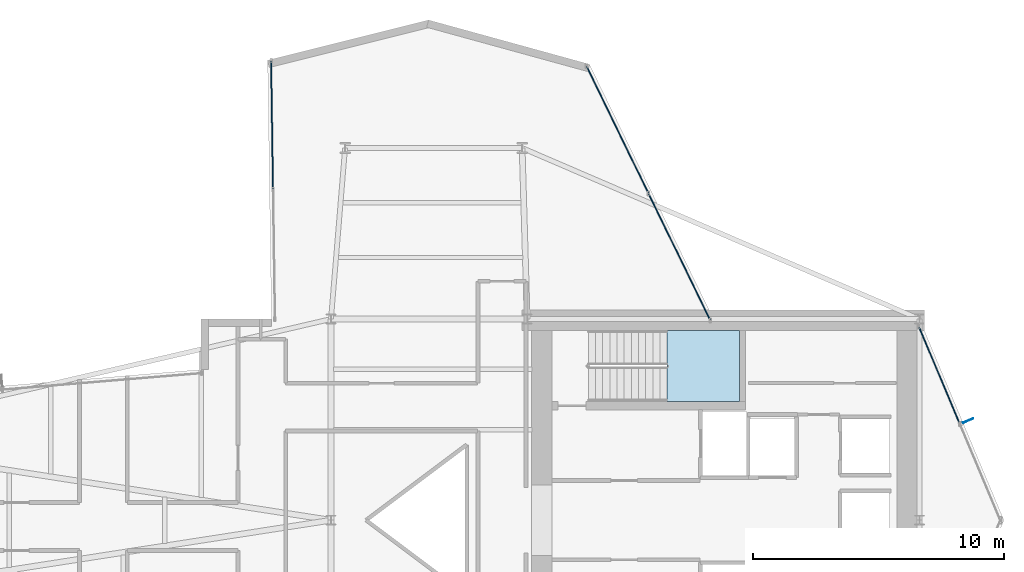
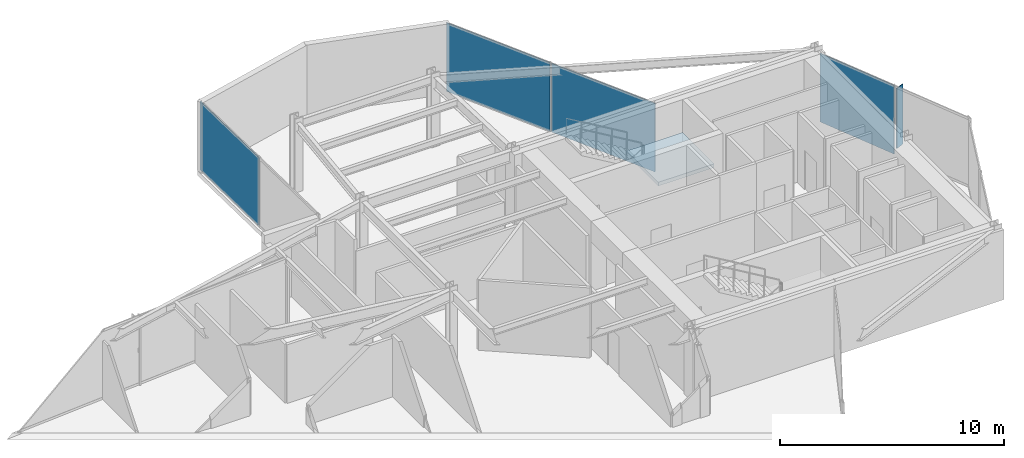
# One storey, part 21 of 25: 5 plates, 1 slab, 4 elements without a shape of their own.
"""IFC4 building model written with IfcOpenShell, lengths in metres."""

import ifcopenshell
import ifcopenshell.guid

model = None  # the IFC model being written
_history = None  # IfcOwnerHistory: only IFC2X3 demands one
_inside = {}  # id of a spatial element -> (the spatial element, [elements in it])
_under = {}  # id of a project, library or spatial element -> (it, [spatial elements below it])
_declared = {}  # id of a project -> (the project, [libraries it declares])
_typed = {}  # id of a type object -> (the type object, [elements of that type])
_made_of = {}  # id of a material, layer set ... -> (it, [elements and type objects made of it])


def new_model(schema):
    """Start an empty IFC model of exactly this schema.

    Asked for "IFC4X3", IfcOpenShell would pick the latest addendum, in which some entities
    have other attributes; the version numbers below select the first issue.
    IFC2X3 requires an IfcOwnerHistory on every rooted entity: one is made here for all.
    """
    global model, _history
    if schema == "IFC4X3":
        model = ifcopenshell.file(schema_version=(4, 3, 0, 0))
    else:
        model = ifcopenshell.file(schema=schema)
    _inside.clear()
    _under.clear()
    _declared.clear()
    _typed.clear()
    _made_of.clear()
    _history = None
    if model.schema == "IFC2X3":
        org = make("IfcOrganization", Name="unknown")
        user = make(
            "IfcPersonAndOrganization",
            ThePerson=make("IfcPerson", FamilyName="unknown"),
            TheOrganization=org,
        )
        app = make(
            "IfcApplication",
            ApplicationDeveloper=org,
            Version="unknown",
            ApplicationFullName="unknown",
            ApplicationIdentifier="unknown",
        )
        _history = make(
            "IfcOwnerHistory",
            OwningUser=user,
            OwningApplication=app,
            ChangeAction="ADDED",
            CreationDate=0,
        )
    return model


def make(cls, **values):
    """One entity of the class cls with the attributes given. An attribute that is None is left unset."""
    return model.create_entity(
        cls, **{name: value for name, value in values.items() if value is not None}
    )


def rooted(cls, **values):
    """An entity with a GlobalId (a new one), such as an element, a storey or a relation."""
    return make(cls, GlobalId=ifcopenshell.guid.new(), OwnerHistory=_history, **values)


def si_unit(unit_type, name, prefix=None):
    """IfcSIUnit, for example si_unit("LENGTHUNIT", "METRE", prefix="MILLI")."""
    return make("IfcSIUnit", UnitType=unit_type, Prefix=prefix, Name=name)


def assignment(units):
    """IfcUnitAssignment: the units of a project."""
    return None if units is None else make("IfcUnitAssignment", Units=units)


def point(xyz):
    """IfcCartesianPoint."""
    return None if xyz is None else make("IfcCartesianPoint", Coordinates=xyz)


def direction(xyz):
    """IfcDirection."""
    return None if xyz is None else make("IfcDirection", DirectionRatios=xyz)


def frame(location, z_axis=None, x_axis=None):
    """IfcAxis2Placement3D, a coordinate frame: its origin and axes. An axis left out is left unset."""
    return make(
        "IfcAxis2Placement3D",
        Location=point(location),
        Axis=direction(z_axis),
        RefDirection=direction(x_axis),
    )


def frame_2d(location, x_axis=None):
    """IfcAxis2Placement2D, a coordinate frame in the plane: its origin and x axis."""
    return make(
        "IfcAxis2Placement2D", Location=point(location), RefDirection=direction(x_axis)
    )


def origin():
    """The frame at (0, 0, 0) with its axes left unset."""
    return frame((0.0, 0.0, 0.0))


def origin_2d():
    """The frame at (0, 0) in the plane with its x axis left unset."""
    return frame_2d((0.0, 0.0))


def place(relative_to, where):
    """IfcLocalPlacement: puts the frame where relative to a parent placement (None: the world)."""
    return make(
        "IfcLocalPlacement", PlacementRelTo=relative_to, RelativePlacement=where
    )


def context(
    kind, dimensions, precision=None, world=None, true_north=None, identifier=None
):
    """IfcGeometricRepresentationContext, for example the 3D "Model" context."""
    return make(
        "IfcGeometricRepresentationContext",
        ContextIdentifier=identifier,
        ContextType=kind,
        CoordinateSpaceDimension=dimensions,
        Precision=precision,
        WorldCoordinateSystem=world,
        TrueNorth=true_north,
    )


def subcontext(parent, identifier, kind, view, scale=None):
    """IfcGeometricRepresentationSubContext, for example "Body" below "Model"."""
    return make(
        "IfcGeometricRepresentationSubContext",
        ContextIdentifier=identifier,
        ContextType=kind,
        ParentContext=parent,
        TargetScale=scale,
        TargetView=view,
    )


def project(units=None, contexts=None):
    """IfcProject with its units and contexts."""
    return rooted(
        "IfcProject",
        Name="project",
        RepresentationContexts=contexts,
        UnitsInContext=assignment(units),
    )


def spatial(cls, under=None, at=None, **own):
    """A site, building, storey or space (cls), placed at a placement, below another one or the project."""
    s = rooted(cls, ObjectPlacement=at, **own)
    if under is not None:
        _under.setdefault(under.id(), (under, []))[1].append(s)
    return s


def polyline(points):
    """IfcPolyline through the points."""
    return make("IfcPolyline", Points=[point(p) for p in points])


def profile(cls, at=None, kind="AREA", **sizes):
    """A parametric profile (cls). Its sizes go by their IFC names, for example OverallWidth=200.0."""
    return make(cls, ProfileType=kind, Position=at, **sizes)


def rectangle(**sizes):
    """IfcRectangleProfileDef."""
    return profile("IfcRectangleProfileDef", **sizes)


def outline(outer, holes=None, kind="AREA"):
    """IfcArbitraryClosedProfileDef: a profile drawn as a closed curve; with holes, ...WithVoids."""
    if holes is None:
        return make("IfcArbitraryClosedProfileDef", ProfileType=kind, OuterCurve=outer)
    return make(
        "IfcArbitraryProfileDefWithVoids",
        ProfileType=kind,
        OuterCurve=outer,
        InnerCurves=holes,
    )


def extrude(swept, where, along, depth):
    """IfcExtrudedAreaSolid: the profile swept, set in the frame where, extruded along a direction by depth."""
    return make(
        "IfcExtrudedAreaSolid",
        SweptArea=swept,
        Position=where,
        ExtrudedDirection=direction(along),
        Depth=depth,
    )


def shape(context_of_items, identifier, shape_type, items):
    """IfcShapeRepresentation: the items that make up one representation, for example the "Body"."""
    return make(
        "IfcShapeRepresentation",
        ContextOfItems=context_of_items,
        RepresentationIdentifier=identifier,
        RepresentationType=shape_type,
        Items=items,
    )


def material(Name=None, Category=None):
    """IfcMaterial."""
    return make("IfcMaterial", Name=Name, Category=Category)


def layer(
    of_material, thickness, ventilated=None, Name=None, Category=None, Priority=None
):
    """IfcMaterialLayer: one layer of a wall or slab, of a material (None: an air gap)."""
    return make(
        "IfcMaterialLayer",
        Material=of_material,
        LayerThickness=thickness,
        IsVentilated=ventilated,
        Name=Name,
        Category=Category,
        Priority=Priority,
    )


def layer_set(layers, Name=None):
    """IfcMaterialLayerSet."""
    return make("IfcMaterialLayerSet", MaterialLayers=layers, LayerSetName=Name)


def made_of(thing, what):
    """Note that an element or type object is made of a material, layer set ...; save() writes the relation."""
    if what is not None:
        _made_of.setdefault(what.id(), (what, []))[1].append(thing)
    return thing


def type_object(cls, material=None, **own):
    """A type object (cls), such as IfcWallType, which elements share."""
    return made_of(rooted(cls, **own), material)


def element(
    cls,
    number,
    at=None,
    inside=None,
    cuts=None,
    type_object=None,
    material=None,
    context=None,
    identifier="Body",
    shape_type=None,
    held_by="IfcProductDefinitionShape",
    body=None,
    shapes=None,
    **own,
):
    """One element of the class cls, such as IfcWall. Its Tag is "e" and its number.

    at: its placement. inside: the storey or other place that contains it. cuts: it is an
    opening in that element (IfcRelVoidsElement). A single representation is given by context,
    identifier, shape_type and body (its items); several are given by shapes. held_by: the class
    of the entity that holds the representations. save() writes the other relations.
    """
    e = rooted(cls, Tag="e%d" % number, ObjectPlacement=at, **own)
    if body is not None:
        shapes = [shape(context, identifier, shape_type, body)]
    if shapes is not None:
        e.Representation = make(held_by, Representations=shapes)
    if inside is not None:
        _inside.setdefault(inside.id(), (inside, []))[1].append(e)
    if cuts is not None:
        rooted(
            "IfcRelVoidsElement", RelatingBuildingElement=cuts, RelatedOpeningElement=e
        )
    if type_object is not None:
        _typed.setdefault(type_object.id(), (type_object, []))[1].append(e)
    return made_of(e, material)


def aggregate(whole, parts):
    """IfcRelAggregates: a whole, such as a stair, and the parts it consists of."""
    return rooted("IfcRelAggregates", RelatingObject=whole, RelatedObjects=parts)


def save(model, path):
    """Write the relations noted so far, then the file.

    IfcRelAggregates (storeys below a building ...), IfcRelContainedInSpatialStructure (elements
    in a storey), IfcRelDefinesByType, IfcRelAssociatesMaterial and IfcRelDeclares: one each for
    every whole, place, type object, material and project.
    """
    for whole, parts in _under.values():
        aggregate(whole, parts)
    for where, things in _inside.values():
        rooted(
            "IfcRelContainedInSpatialStructure",
            RelatedElements=things,
            RelatingStructure=where,
        )
    for kind, things in _typed.values():
        rooted("IfcRelDefinesByType", RelatedObjects=things, RelatingType=kind)
    for what, things in _made_of.values():
        rooted("IfcRelAssociatesMaterial", RelatedObjects=things, RelatingMaterial=what)
    for by, libraries in _declared.values():
        rooted("IfcRelDeclares", RelatingContext=by, RelatedDefinitions=libraries)
    model.write(path)


model = new_model("IFC4")

# Units and contexts
model_context = context("Model", 3, precision=1e-05, world=origin(), true_north=direction((0.0, 1.0)))
body_context = subcontext(model_context, "Body", "Model", "MODEL_VIEW")
ifc_project = project(units=[si_unit("LENGTHUNIT", "METRE"), si_unit("AREAUNIT", "SQUARE_METRE"), si_unit("VOLUMEUNIT", "CUBIC_METRE"), si_unit("PLANEANGLEUNIT", "RADIAN"), si_unit("MASSUNIT", "GRAM", prefix="KILO")], contexts=[model_context])

# Site, building, storey
site_placement = place(None, origin())
site = spatial("IfcSite", under=ifc_project, at=site_placement, CompositionType="ELEMENT")
building_placement = place(site_placement, origin())
building = spatial("IfcBuilding", under=site, at=building_placement, Name="Veymaron Broadcast Tower", CompositionType="ELEMENT")
storey_placement = place(building_placement, frame((0.0, 0.0, 116.85009765625)))
storey = spatial("IfcBuildingStorey", under=building, at=storey_placement, Name="L26", CompositionType="ELEMENT", Elevation=116.85009765625)

# Curtain wall, plate
ifc_material_1 = material(Name="Anodised aluminium AA 6063-T6 and laminated low-E dark glass", Category="aluminium")
ifc_layer_1 = layer(ifc_material_1, 0.179931640625)
ifc_layer_set_1 = layer_set([ifc_layer_1], Name="Anodised aluminium AA 6063-T6 and laminated low-E dark glass")
curtain_wall_type = type_object("IfcCurtainWallType", Name="CW-SYS-03", PredefinedType="NOTDEFINED", material=ifc_layer_set_1)
curtain_wall_1_placement = place(storey_placement, origin())
curtain_wall_1 = element("IfcCurtainWall", 1, at=curtain_wall_1_placement, inside=storey, type_object=curtain_wall_type, Name="L26 dark-glass curtain wall CW-L26-E3-1", PredefinedType="NOTDEFINED")
ifc_material_2 = material(Name="Insulated dark-anodised aluminium spandrel panel 40 mm", Category="aluminium")
ifc_layer_2 = layer(ifc_material_2, 0.0400390625)
ifc_layer_set_2 = layer_set([ifc_layer_2], Name="Insulated dark-anodised aluminium spandrel panel 40 mm")
plate_type_1 = type_object("IfcPlateType", Name="CW-PNL-03", PredefinedType="CURTAIN_PANEL", material=ifc_layer_set_2)
plate_1_placement = place(storey_placement, frame((55.390380859375, 29.756591796875, 0.039794921875), z_axis=(0.0, 0.0, 1.0), x_axis=(-0.387225955483, 0.921984847706, 0.0)))
plate_1 = element("IfcPlate", 2, at=plate_1_placement, type_object=plate_type_1, Name="CW-L26-E3-1 unitised curtain panel 1", PredefinedType="CURTAIN_PANEL", context=body_context, shape_type="SweptSolid", body=[
    extrude(rectangle(XDim=4.141845703125, YDim=0.0400390625, at=origin_2d()), origin(), (0.0, 0.0, 1.0), 3.72998046875),
])
aggregate(curtain_wall_1, [plate_1])

# Curtain wall, plates
curtain_wall_2_placement = place(storey_placement, origin())
curtain_wall_2 = element("IfcCurtainWall", 3, at=curtain_wall_2_placement, inside=storey, type_object=curtain_wall_type, Name="L26 dark-glass curtain wall CW-L26-E5-1", PredefinedType="NOTDEFINED")
plate_2_placement = place(storey_placement, frame((45.052490234375, 34.46875, 0.039794921875), z_axis=(0.0, 0.0, 1.0), x_axis=(-0.437822022994, 0.899061664282, 0.0)))
plate_2 = element("IfcPlate", 4, at=plate_2_placement, type_object=plate_type_1, Name="CW-L26-E5-1 unitised curtain panel 0", PredefinedType="CURTAIN_PANEL", context=body_context, shape_type="SweptSolid", body=[
    extrude(rectangle(XDim=5.568115234375, YDim=0.0400390625, at=origin_2d()), origin(), (0.0, 0.0, 1.0), 3.72998046875),
])
plate_3_placement = place(storey_placement, frame((42.58837890625, 39.52880859375, 0.039794921875), z_axis=(0.0, 0.0, 1.0), x_axis=(-0.437822022994, 0.899061664282, 0.0)))
plate_3 = element("IfcPlate", 5, at=plate_3_placement, type_object=plate_type_1, Name="CW-L26-E5-1 unitised curtain panel 1", PredefinedType="CURTAIN_PANEL", context=body_context, shape_type="SweptSolid", body=[
    extrude(rectangle(XDim=5.568115234375, YDim=0.0400390625, at=origin_2d()), origin(), (0.0, 0.0, 1.0), 3.72998046875),
])
aggregate(curtain_wall_2, [plate_2, plate_3])

# Curtain wall, plate
curtain_wall_3_placement = place(storey_placement, origin())
curtain_wall_3 = element("IfcCurtainWall", 6, at=curtain_wall_3_placement, inside=storey, type_object=curtain_wall_type, Name="L26 dark-glass curtain wall CW-L26-E8-1", PredefinedType="NOTDEFINED")
plate_4_placement = place(storey_placement, frame((28.85546875, 39.7119140625, 0.039794921875), z_axis=(0.0, 0.0, 1.0), x_axis=(0.014642789111, -0.999892788616, 0.0)))
plate_4 = element("IfcPlate", 7, at=plate_4_placement, type_object=plate_type_1, Name="CW-L26-E8-1 unitised curtain panel 0", PredefinedType="CURTAIN_PANEL", context=body_context, shape_type="SweptSolid", body=[
    extrude(rectangle(XDim=5.08056640625, YDim=0.0400390625, at=origin_2d()), origin(), (0.0, 0.0, 1.0), 3.72998046875),
])
aggregate(curtain_wall_3, [plate_4])

# Plate
ifc_material_3 = material(Name="Dark-anodised aluminium AA 6061-T6", Category="aluminium")
ifc_layer_3 = layer(ifc_material_3, 0.034912109375)
ifc_layer_set_3 = layer_set([ifc_layer_3], Name="Dark-anodised aluminium AA 6061-T6")
plate_type_2 = type_object("IfcPlateType", Name="FIN-CHEV-01", PredefinedType="USERDEFINED", material=ifc_layer_set_3)
plate_5_placement = place(storey_placement, frame((56.53125, 27.957275390625, 0.2666015625), z_axis=(0.0, 0.0, 1.0), x_axis=(0.921984847706, 0.387225955483, 0.0)))
element("IfcPlate", 8, at=plate_5_placement, inside=storey, type_object=plate_type_2, Name="CW-L26-E3-1 chevron fin 1", ObjectType="FIN", PredefinedType="USERDEFINED", context=body_context, shape_type="SweptSolid", body=[
    extrude(rectangle(XDim=0.449951171875, YDim=0.034912109375, at=origin_2d()), origin(), (0.0, 0.0, 1.0), 3.276611328125),
])

# Stair, slab
ifc_material_4 = material(Name="Concrete C50/60", Category="concrete")
stair_type = type_object("IfcStairType", Name="STAIR-CORE-1", PredefinedType="HALF_TURN_STAIR", material=ifc_material_4)
stair_placement = place(storey_placement, origin())
stair = element("IfcStair", 9, at=stair_placement, inside=storey, type_object=stair_type, Name="L26 North protected dog-leg exit stair ST1", PredefinedType="HALF_TURN_STAIR")
ifc_layer_4 = layer(ifc_material_4, 0.199951171875)
ifc_layer_set_4 = layer_set([ifc_layer_4], Name="Concrete C50/60")
slab_type = type_object("IfcSlabType", Name="SLAB-STAIR-LDG", PredefinedType="LANDING", material=ifc_layer_set_4)
slab_placement = place(storey_placement, frame((0.0, 0.0, 1.824951171875)))
slab = element("IfcSlab", 10, at=slab_placement, type_object=slab_type, Name="ST1 landing 1", PredefinedType="LANDING", context=body_context, shape_type="SweptSolid", body=[
    extrude(outline(polyline([(44.56494140625, 28.72998046875), (47.43994140625, 28.72998046875), (47.43994140625, 31.550048828125), (44.56494140625, 31.550048828125), (44.56494140625, 28.72998046875)])), origin(), (0.0, 0.0, 1.0), 0.199951171875),
])
aggregate(stair, [slab])

save(model, "model.ifc")
